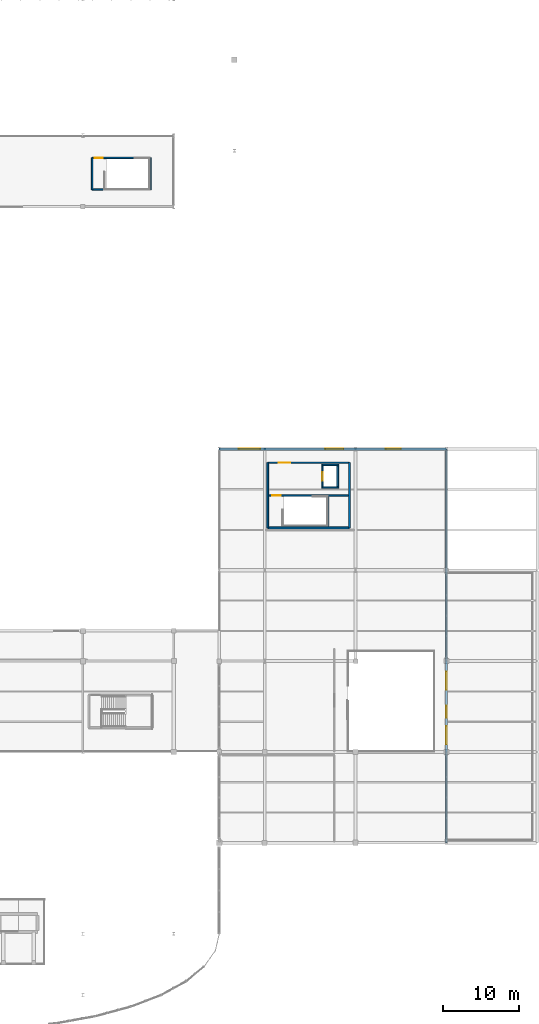
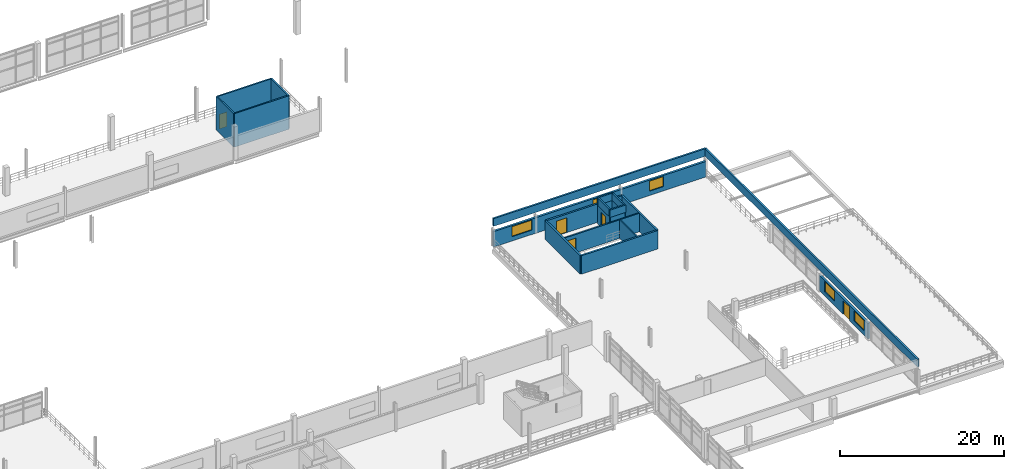
# One storey, part 72 of 89: 22 walls, 5 doors, 5 windows, 10 openings.
"""IFC4 building model written with IfcOpenShell, lengths in metres."""

from ifc_helpers import new_model, si_unit, direction, frame, frame_2d, origin, place, context, subcontext, project, spatial, rectangle, extrude, material, layer, layer_set, type_object, element, fill, save


model = new_model("IFC4")

# Units and contexts
model_context = context("Model", 3, precision=1e-05, world=origin(), true_north=direction((0.0, 1.0)))
body_context = subcontext(model_context, "Body", "Model", "MODEL_VIEW")
ifc_project = project(units=[si_unit("LENGTHUNIT", "METRE"), si_unit("AREAUNIT", "SQUARE_METRE"), si_unit("VOLUMEUNIT", "CUBIC_METRE"), si_unit("PLANEANGLEUNIT", "RADIAN"), si_unit("MASSUNIT", "GRAM", prefix="KILO"), si_unit("THERMODYNAMICTEMPERATUREUNIT", "KELVIN"), si_unit("POWERUNIT", "WATT")], contexts=[model_context])

# Site, building, storey
site_placement = place(None, origin())
site = spatial("IfcSite", under=ifc_project, at=site_placement, CompositionType="ELEMENT")
building_placement = place(site_placement, origin())
building = spatial("IfcBuilding", under=site, at=building_placement, Name="Solmara Park Aquatics Centre", CompositionType="ELEMENT")
storey_placement = place(building_placement, frame((0.0, 0.0, 5.39990234375)))
storey = spatial("IfcBuildingStorey", under=building, at=storey_placement, Name="L01", CompositionType="ELEMENT", Elevation=5.39990234375)

# Wall
ifc_material_1 = material(Name="Concrete C40/50", Category="concrete")
ifc_layer_1 = layer(ifc_material_1, 0.25, Name="Concrete C40/50")
ifc_layer_set_1 = layer_set([ifc_layer_1], Name="Concrete C40/50")
wall_type_1 = type_object("IfcWallType", Name="ARC-WL-CORE250", PredefinedType="SHEAR", material=ifc_layer_set_1)
wall_1_placement = place(storey_placement, frame((168.39990234375, 66.199951171875, 0.0), z_axis=(0.0, 0.0, 1.0), x_axis=(1.0, 0.0, 0.0)))
element("IfcWall", 1, at=wall_1_placement, inside=storey, type_object=wall_type_1, Name="CORE-5 Core Wall S L01", PredefinedType="SHEAR", context=body_context, shape_type="SweptSolid", body=[
    extrude(rectangle(XDim=10.800048828125, YDim=0.25, at=frame_2d((5.39990234375, 0.0))), origin(), (0.0, 0.0, 1.0), 2.760009765625),
])

# Wall, opening, door
wall_2_placement = place(storey_placement, frame((168.39990234375, 74.800048828125, 0.0), z_axis=(0.0, 0.0, 1.0), x_axis=(1.0, 0.0, 0.0)))
wall_2 = element("IfcWall", 2, at=wall_2_placement, inside=storey, type_object=wall_type_1, Name="CORE-5 Core Wall N L01", PredefinedType="SHEAR", context=body_context, shape_type="SweptSolid", body=[
    extrude(rectangle(XDim=10.800048828125, YDim=0.25, at=frame_2d((5.39990234375, 0.0))), origin(), (0.0, 0.0, 1.0), 2.760009765625),
])
opening_1_placement = place(wall_2_placement, frame((1.449951171875, 0.0, 0.0)))
opening_1 = element("IfcOpeningElement", 3, at=opening_1_placement, cuts=wall_2, Name="Opening D-12", PredefinedType="OPENING", context=body_context, shape_type="SweptSolid", body=[
    extrude(rectangle(XDim=1.5, YDim=2.199951171875, at=frame_2d((0.75, 1.10009765625))), frame((0.0, 0.135009765625, 0.0), z_axis=(0.0, -1.0, 0.0), x_axis=(1.0, 0.0, 0.0)), (0.0, 0.0, 1.0), 0.27001953125),
])
ifc_material_2 = material(Name="Moisture-Resistant HPL & Hardwood", Category="wood")
door_type_1 = type_object("IfcDoorType", Name="ARC-DR-FD150x220", OperationType="DOUBLE_DOOR_SINGLE_SWING", PredefinedType="DOOR", material=ifc_material_2)
door_1_placement = place(opening_1_placement, origin())
door_1 = element("IfcDoor", 4, at=door_1_placement, inside=storey, type_object=door_type_1, Name="CORE-5 Lobby Entry Fire Door L01", OperationType="DOUBLE_DOOR_SINGLE_SWING", OverallHeight=2.199951171875, OverallWidth=1.5, PredefinedType="DOOR", context=body_context, shape_type="SweptSolid", body=[
    extrude(rectangle(XDim=1.5, YDim=2.199951171875, at=frame_2d((0.75, 1.10009765625))), frame((0.0, 0.02490234375, 0.0), z_axis=(0.0, -1.0, 0.0), x_axis=(1.0, 0.0, 0.0)), (0.0, 0.0, 1.0), 0.050048828125),
])
fill(opening_1, door_1)

# Walls
for number, where, z_axis, x_axis, name in (
    (5, (168.39990234375, 66.199951171875, 0.0), (0.0, 0.0, 1.0), (0.0, 1.0, 0.0), "CORE-5 Core Wall W L01"),
    (6, (179.199951171875, 66.199951171875, 0.0), (0.0, 0.0, 1.0), (0.0, 1.0, 0.0), "CORE-5 Core Wall E L01"),
):
    element("IfcWall", number, at=place(storey_placement, frame(where, z_axis=z_axis, x_axis=x_axis)), inside=storey, type_object=wall_type_1, Name=name, PredefinedType="SHEAR", context=body_context, shape_type="SweptSolid", body=[
        extrude(rectangle(XDim=8.60009765625, YDim=0.25, at=frame_2d((4.300048828125, 0.0))), origin(), (0.0, 0.0, 1.0), 2.760009765625),
    ])

# Wall, openings, door, windows
ifc_material_3 = material(Name="Insulated Limestone Render Wall", Category="masonry")
ifc_layer_2 = layer(ifc_material_3, 0.300048828125, Name="Insulated Limestone Render Wall")
ifc_layer_set_2 = layer_set([ifc_layer_2], Name="Insulated Limestone Render Wall")
wall_type_2 = type_object("IfcWallType", Name="ARC-WL-EXT300", PredefinedType="SOLIDWALL", material=ifc_layer_set_2)
wall_3_placement = place(storey_placement, frame((192.0, 36.60009765625, 0.0), z_axis=(0.0, 0.0, 1.0), x_axis=(0.0, 1.0, 0.0)))
wall_3 = element("IfcWall", 7, at=wall_3_placement, inside=storey, type_object=wall_type_2, Name="Exterior Facade Wall EW-L01-007", PredefinedType="SOLIDWALL", context=body_context, shape_type="SweptSolid", body=[
    extrude(rectangle(XDim=12.0, YDim=0.300048828125, at=frame_2d((6.0, 0.0))), origin(), (0.0, 0.0, 1.0), 2.31005859375),
])
opening_2_placement = place(wall_3_placement, frame((4.5, 0.0, 0.0)))
opening_2 = element("IfcOpeningElement", 8, at=opening_2_placement, cuts=wall_3, Name="Opening D-31", PredefinedType="OPENING", context=body_context, shape_type="SweptSolid", body=[
    extrude(rectangle(XDim=1.60009765625, YDim=2.050048828125, at=frame_2d((0.800048828125, 1.02490234375))), frame((0.0, 0.159912109375, 0.0), z_axis=(0.0, -1.0, 0.0), x_axis=(1.0, 0.0, 0.0)), (0.0, 0.0, 1.0), 0.320068359375),
])
opening_3_placement = place(wall_3_placement, frame((1.0, 0.0, 0.64990234375)))
opening_3 = element("IfcOpeningElement", 9, at=opening_3_placement, cuts=wall_3, Name="Opening W-16", PredefinedType="OPENING", context=body_context, shape_type="SweptSolid", body=[
    extrude(rectangle(XDim=2.39990234375, YDim=1.5, at=frame_2d((1.199951171875, 0.75))), frame((0.0, 0.159912109375, 0.0), z_axis=(0.0, -1.0, 0.0), x_axis=(1.0, 0.0, 0.0)), (0.0, 0.0, 1.0), 0.320068359375),
])
opening_4_placement = place(wall_3_placement, frame((8.199951171875, 0.0, 0.64990234375)))
opening_4 = element("IfcOpeningElement", 10, at=opening_4_placement, cuts=wall_3, Name="Opening W-16", PredefinedType="OPENING", context=body_context, shape_type="SweptSolid", body=[
    extrude(rectangle(XDim=2.39990234375, YDim=1.5, at=frame_2d((1.199951171875, 0.75))), frame((0.0, 0.159912109375, 0.0), z_axis=(0.0, -1.0, 0.0), x_axis=(1.0, 0.0, 0.0)), (0.0, 0.0, 1.0), 0.320068359375),
])
ifc_material_4 = material(Name="Thermally Broken Powder-Coated Aluminium and Laminated Glass", Category="aluminium")
door_type_2 = type_object("IfcDoorType", Name="ARC-DR-TER160x205", OperationType="DOUBLE_DOOR_SINGLE_SWING", PredefinedType="DOOR", material=ifc_material_4)
door_2_placement = place(opening_2_placement, frame((1.60009765625, 0.0, 0.0), z_axis=(0.0, 0.0, 1.0), x_axis=(-1.0, 0.0, 0.0)))
door_2 = element("IfcDoor", 11, at=door_2_placement, inside=storey, type_object=door_type_2, Name="L01 Park Cafe Terrace Door (EX-08)", OperationType="DOUBLE_DOOR_SINGLE_SWING", OverallHeight=2.050048828125, OverallWidth=1.60009765625, PredefinedType="DOOR", context=body_context, shape_type="SweptSolid", body=[
    extrude(rectangle(XDim=1.60009765625, YDim=2.050048828125, at=frame_2d((0.800048828125, 1.02490234375))), frame((0.0, 0.02490234375, 0.0), z_axis=(0.0, -1.0, 0.0), x_axis=(1.0, 0.0, 0.0)), (0.0, 0.0, 1.0), 0.050048828125),
])
fill(opening_2, door_2)
ifc_material_5 = material(Name="Thermally Broken Aluminium and Low-E Double Glazing", Category="aluminium")
window_type_1 = type_object("IfcWindowType", Name="ARC-WN-240x150", PartitioningType="DOUBLE_PANEL_VERTICAL", PredefinedType="WINDOW", material=ifc_material_5)
window_1_placement = place(opening_3_placement, frame((2.39990234375, 0.0, 0.0), z_axis=(0.0, 0.0, 1.0), x_axis=(-1.0, 0.0, 0.0)))
window_1 = element("IfcWindow", 12, at=window_1_placement, inside=storey, type_object=window_type_1, Name="Ribbon Window WN-015", OverallHeight=1.5, OverallWidth=2.39990234375, PartitioningType="DOUBLE_PANEL_VERTICAL", PredefinedType="WINDOW", context=body_context, shape_type="SweptSolid", body=[
    extrude(rectangle(XDim=2.39990234375, YDim=1.5, at=frame_2d((1.199951171875, 0.75))), frame((0.0, 0.030029296875, 0.0), z_axis=(0.0, -1.0, 0.0), x_axis=(1.0, 0.0, 0.0)), (0.0, 0.0, 1.0), 0.06005859375),
])
fill(opening_3, window_1)
window_2_placement = place(opening_4_placement, frame((2.39990234375, 0.0, 0.0), z_axis=(0.0, 0.0, 1.0), x_axis=(-1.0, 0.0, 0.0)))
window_2 = element("IfcWindow", 13, at=window_2_placement, inside=storey, type_object=window_type_1, Name="Ribbon Window WN-016", OverallHeight=1.5, OverallWidth=2.39990234375, PartitioningType="DOUBLE_PANEL_VERTICAL", PredefinedType="WINDOW", context=body_context, shape_type="SweptSolid", body=[
    extrude(rectangle(XDim=2.39990234375, YDim=1.5, at=frame_2d((1.199951171875, 0.75))), frame((0.0, 0.030029296875, 0.0), z_axis=(0.0, -1.0, 0.0), x_axis=(1.0, 0.0, 0.0)), (0.0, 0.0, 1.0), 0.06005859375),
])
fill(opening_4, window_2)

# Wall, openings, windows
wall_4_placement = place(storey_placement, frame((162.0, 76.60009765625, 0.0), z_axis=(0.0, 0.0, 1.0), x_axis=(1.0, 0.0, 0.0)))
wall_4 = element("IfcWall", 14, at=wall_4_placement, inside=storey, type_object=wall_type_2, Name="Exterior Facade Wall EW-L01-010", PredefinedType="SOLIDWALL", context=body_context, shape_type="SweptSolid", body=[
    extrude(rectangle(XDim=30.0, YDim=0.300048828125, at=frame_2d((15.0, 0.0))), origin(), (0.0, 0.0, 1.0), 2.31005859375),
])
opening_5_placement = place(wall_4_placement, frame((2.60009765625, 0.0, 0.64990234375)))
opening_5 = element("IfcOpeningElement", 15, at=opening_5_placement, cuts=wall_4, Name="Opening W-15", PredefinedType="OPENING", context=body_context, shape_type="SweptSolid", body=[
    extrude(rectangle(XDim=2.800048828125, YDim=1.5, at=frame_2d((1.39990234375, 0.75))), frame((0.0, 0.159912109375, 0.0), z_axis=(0.0, -1.0, 0.0), x_axis=(1.0, 0.0, 0.0)), (0.0, 0.0, 1.0), 0.320068359375),
])
opening_6_placement = place(wall_4_placement, frame((14.0, 0.0, 0.64990234375)))
opening_6 = element("IfcOpeningElement", 16, at=opening_6_placement, cuts=wall_4, Name="Opening W-16", PredefinedType="OPENING", context=body_context, shape_type="SweptSolid", body=[
    extrude(rectangle(XDim=2.39990234375, YDim=1.5, at=frame_2d((1.199951171875, 0.75))), frame((0.0, 0.159912109375, 0.0), z_axis=(0.0, -1.0, 0.0), x_axis=(1.0, 0.0, 0.0)), (0.0, 0.0, 1.0), 0.320068359375),
])
opening_7_placement = place(wall_4_placement, frame((22.0, 0.0, 0.64990234375)))
opening_7 = element("IfcOpeningElement", 17, at=opening_7_placement, cuts=wall_4, Name="Opening W-17", PredefinedType="OPENING", context=body_context, shape_type="SweptSolid", body=[
    extrude(rectangle(XDim=2.0, YDim=1.5, at=frame_2d((1.0, 0.75))), frame((0.0, 0.159912109375, 0.0), z_axis=(0.0, -1.0, 0.0), x_axis=(1.0, 0.0, 0.0)), (0.0, 0.0, 1.0), 0.320068359375),
])
window_type_2 = type_object("IfcWindowType", Name="ARC-WN-200x150", PartitioningType="DOUBLE_PANEL_VERTICAL", PredefinedType="WINDOW", material=ifc_material_5)
window_3_placement = place(opening_7_placement, origin())
window_3 = element("IfcWindow", 18, at=window_3_placement, inside=storey, type_object=window_type_2, Name="Ribbon Window WN-024", OverallHeight=1.5, OverallWidth=2.0, PartitioningType="DOUBLE_PANEL_VERTICAL", PredefinedType="WINDOW", context=body_context, shape_type="SweptSolid", body=[
    extrude(rectangle(XDim=2.0, YDim=1.5, at=frame_2d((1.0, 0.75))), frame((0.0, 0.030029296875, 0.0), z_axis=(0.0, -1.0, 0.0), x_axis=(1.0, 0.0, 0.0)), (0.0, 0.0, 1.0), 0.06005859375),
])
fill(opening_7, window_3)
window_4_placement = place(opening_6_placement, origin())
window_4 = element("IfcWindow", 19, at=window_4_placement, inside=storey, type_object=window_type_1, Name="Ribbon Window WN-023", OverallHeight=1.5, OverallWidth=2.39990234375, PartitioningType="DOUBLE_PANEL_VERTICAL", PredefinedType="WINDOW", context=body_context, shape_type="SweptSolid", body=[
    extrude(rectangle(XDim=2.39990234375, YDim=1.5, at=frame_2d((1.199951171875, 0.75))), frame((0.0, 0.030029296875, 0.0), z_axis=(0.0, -1.0, 0.0), x_axis=(1.0, 0.0, 0.0)), (0.0, 0.0, 1.0), 0.06005859375),
])
fill(opening_6, window_4)
window_type_3 = type_object("IfcWindowType", Name="ARC-WN-280x150", PartitioningType="DOUBLE_PANEL_HORIZONTAL", PredefinedType="WINDOW", material=ifc_material_5)
window_5_placement = place(opening_5_placement, origin())
window_5 = element("IfcWindow", 20, at=window_5_placement, inside=storey, type_object=window_type_3, Name="Ribbon Window WN-022", OverallHeight=1.5, OverallWidth=2.800048828125, PartitioningType="DOUBLE_PANEL_HORIZONTAL", PredefinedType="WINDOW", context=body_context, shape_type="SweptSolid", body=[
    extrude(rectangle(XDim=2.800048828125, YDim=1.5, at=frame_2d((1.39990234375, 0.75))), frame((0.0, 0.030029296875, 0.0), z_axis=(0.0, -1.0, 0.0), x_axis=(1.0, 0.0, 0.0)), (0.0, 0.0, 1.0), 0.06005859375),
])
fill(opening_5, window_5)

# Walls
ifc_material_6 = material(Name="Precast Concrete C40/50", Category="concrete")
ifc_layer_3 = layer(ifc_material_6, 0.25, Name="Precast Concrete C40/50")
ifc_layer_set_3 = layer_set([ifc_layer_3], Name="Precast Concrete C40/50")
wall_type_3 = type_object("IfcWallType", Name="ARC-WL-PAR250", PredefinedType="PARAPET", material=ifc_layer_set_3)
wall_5_placement = place(storey_placement, frame((162.0, 76.60009765625, 3.080078125), z_axis=(0.0, 0.0, 1.0), x_axis=(1.0, 0.0, 0.0)))
element("IfcWall", 21, at=wall_5_placement, inside=storey, type_object=wall_type_3, Name="Roof Maintenance Parapet 02", PredefinedType="PARAPET", context=body_context, shape_type="SweptSolid", body=[
    extrude(rectangle(XDim=30.0, YDim=0.25, at=frame_2d((15.0, 0.0))), origin(), (0.0, 0.0, 1.0), 1.14990234375),
])
wall_6_placement = place(storey_placement, frame((192.0, 24.60009765625, 3.080078125), z_axis=(0.0, 0.0, 1.0), x_axis=(0.0, 1.0, 0.0)))
element("IfcWall", 22, at=wall_6_placement, inside=storey, type_object=wall_type_3, Name="Roof Maintenance Parapet 03", PredefinedType="PARAPET", context=body_context, shape_type="SweptSolid", body=[
    extrude(rectangle(XDim=52.0, YDim=0.25, at=frame_2d((26.0, 0.0))), origin(), (0.0, 0.0, 1.0), 1.14990234375),
])

# Wall, opening, door
ifc_material_7 = material(Name="Concrete C35/45", Category="concrete")
ifc_layer_4 = layer(ifc_material_7, 0.199951171875, Name="Concrete C35/45")
ifc_layer_set_4 = layer_set([ifc_layer_4], Name="Concrete C35/45")
wall_type_4 = type_object("IfcWallType", Name="STR-WL-STAIR200", PredefinedType="SHEAR", material=ifc_layer_set_4)
wall_7_placement = place(storey_placement, frame((168.52001953125, 70.47509765625, 0.0), z_axis=(0.0, 0.0, 1.0), x_axis=(1.0, 0.0, 0.0)))
wall_7 = element("IfcWall", 23, at=wall_7_placement, inside=storey, type_object=wall_type_4, Name="CORE-5 Stairwell Compartment Wall L01", PredefinedType="SHEAR", context=body_context, shape_type="SweptSolid", body=[
    extrude(rectangle(XDim=10.56005859375, YDim=0.199951171875, at=frame_2d((5.280029296875, 0.0))), origin(), (0.0, 0.0, 1.0), 2.760009765625),
])
opening_8_placement = place(wall_7_placement, frame((0.47998046875, 0.0, 0.0)))
opening_8 = element("IfcOpeningElement", 24, at=opening_8_placement, cuts=wall_7, Name="Opening D-11", PredefinedType="OPENING", context=body_context, shape_type="SweptSolid", body=[
    extrude(rectangle(XDim=1.10009765625, YDim=2.199951171875, at=frame_2d((0.550048828125, 1.10009765625))), frame((0.0, 0.10986328125, 0.0), z_axis=(0.0, -1.0, 0.0), x_axis=(1.0, 0.0, 0.0)), (0.0, 0.0, 1.0), 0.219970703125),
])
door_type_3 = type_object("IfcDoorType", Name="ARC-DR-FD110x220", OperationType="NOTDEFINED", PredefinedType="DOOR", material=ifc_material_2)
door_3_placement = place(opening_8_placement, origin())
door_3 = element("IfcDoor", 25, at=door_3_placement, inside=storey, type_object=door_type_3, Name="ST-05 Fire Door L01", OperationType="SINGLE_SWING_RIGHT", OverallHeight=2.199951171875, OverallWidth=1.10009765625, PredefinedType="DOOR", context=body_context, shape_type="SweptSolid", body=[
    extrude(rectangle(XDim=1.10009765625, YDim=2.199951171875, at=frame_2d((0.550048828125, 1.10009765625))), frame((0.0, 0.02490234375, 0.0), z_axis=(0.0, -1.0, 0.0), x_axis=(1.0, 0.0, 0.0)), (0.0, 0.0, 1.0), 0.050048828125),
])
fill(opening_8, door_3)

# Wall
wall_8_placement = place(storey_placement, frame((176.360107421875, 66.320068359375, 0.0), z_axis=(0.0, 0.0, 1.0), x_axis=(0.0, 1.0, 0.0)))
element("IfcWall", 26, at=wall_8_placement, inside=storey, type_object=wall_type_4, Name="CORE-5 Stairwell East End Wall L01", PredefinedType="SHEAR", context=body_context, shape_type="SweptSolid", body=[
    extrude(rectangle(XDim=4.054931640625, YDim=0.199951171875, at=frame_2d((2.02734375, 0.0))), origin(), (0.0, 0.0, 1.0), 2.760009765625),
])

# Wall, opening, door
wall_9_placement = place(storey_placement, frame((175.6201171875, 71.5, 0.0), z_axis=(0.0, 0.0, 1.0), x_axis=(0.0, 1.0, 0.0)))
wall_9 = element("IfcWall", 27, at=wall_9_placement, inside=storey, type_object=wall_type_4, Name="CORE-5 Lift Shaft Front Wall L01", PredefinedType="SHEAR", context=body_context, shape_type="SweptSolid", body=[
    extrude(rectangle(XDim=3.0, YDim=0.199951171875, at=frame_2d((1.5, 0.0))), origin(), (0.0, 0.0, 1.0), 2.760009765625),
])
opening_9_placement = place(wall_9_placement, frame((0.949951171875, 0.0, 0.0)))
opening_9 = element("IfcOpeningElement", 28, at=opening_9_placement, cuts=wall_9, Name="Opening D-09", PredefinedType="OPENING", context=body_context, shape_type="SweptSolid", body=[
    extrude(rectangle(XDim=1.10009765625, YDim=2.199951171875, at=frame_2d((0.550048828125, 1.10009765625))), frame((0.0, 0.10986328125, 0.0), z_axis=(0.0, -1.0, 0.0), x_axis=(1.0, 0.0, 0.0)), (0.0, 0.0, 1.0), 0.219970703125),
])
ifc_material_8 = material(Name="Stainless Steel", Category="steel")
door_type_4 = type_object("IfcDoorType", Name="ARC-DR-LD110x220", OperationType="DOUBLE_DOOR_SLIDING", PredefinedType="DOOR", material=ifc_material_8)
door_4_placement = place(opening_9_placement, origin())
door_4 = element("IfcDoor", 29, at=door_4_placement, inside=storey, type_object=door_type_4, Name="LF-07 Lift Landing Door L01", OperationType="DOUBLE_DOOR_SLIDING", OverallHeight=2.199951171875, OverallWidth=1.10009765625, PredefinedType="DOOR", context=body_context, shape_type="SweptSolid", body=[
    extrude(rectangle(XDim=1.10009765625, YDim=2.199951171875, at=frame_2d((0.550048828125, 1.10009765625))), frame((0.0, 0.02490234375, 0.0), z_axis=(0.0, -1.0, 0.0), x_axis=(1.0, 0.0, 0.0)), (0.0, 0.0, 1.0), 0.050048828125),
])
fill(opening_9, door_4)

# Walls
wall_10_placement = place(storey_placement, frame((177.64990234375, 71.5, 0.0), z_axis=(0.0, 0.0, 1.0), x_axis=(0.0, 1.0, 0.0)))
element("IfcWall", 30, at=wall_10_placement, inside=storey, type_object=wall_type_4, Name="LF-07 Lift Shaft East Wall L01", PredefinedType="SHEAR", context=body_context, shape_type="SweptSolid", body=[
    extrude(rectangle(XDim=3.0, YDim=0.199951171875, at=frame_2d((1.5, 0.0))), origin(), (0.0, 0.0, 1.0), 2.760009765625),
])
for number, where, z_axis, x_axis, name in (
    (31, (175.6201171875, 71.5, 0.0), (0.0, 0.0, 1.0), (1.0, 0.0, 0.0), "LF-07 Lift Shaft South Wall L01"),
    (32, (175.6201171875, 74.5, 0.0), (0.0, 0.0, 1.0), (1.0, 0.0, 0.0), "LF-07 Lift Shaft North Wall L01"),
):
    element("IfcWall", number, at=place(storey_placement, frame(where, z_axis=z_axis, x_axis=x_axis)), inside=storey, type_object=wall_type_4, Name=name, PredefinedType="SHEAR", context=body_context, shape_type="SweptSolid", body=[
        extrude(rectangle(XDim=2.02978515625, YDim=0.199951171875, at=frame_2d((1.014892578125, 0.0))), origin(), (0.0, 0.0, 1.0), 2.760009765625),
    ])
for number, where, z_axis, x_axis, name in (
    (33, (175.52001953125, 71.5, 2.760009765625), (0.0, 0.0, 1.0), (1.0, 0.0, 0.0), "LF-07 Lift Overrun Hood Wall S"),
    (34, (175.52001953125, 74.5, 2.760009765625), (0.0, 0.0, 1.0), (1.0, 0.0, 0.0), "LF-07 Lift Overrun Hood Wall N"),
):
    element("IfcWall", number, at=place(storey_placement, frame(where, z_axis=z_axis, x_axis=x_axis)), inside=storey, type_object=wall_type_4, Name=name, PredefinedType="SHEAR", context=body_context, shape_type="SweptSolid", body=[
        extrude(rectangle(XDim=2.22998046875, YDim=0.199951171875, at=frame_2d((1.114990234375, 0.0))), origin(), (0.0, 0.0, 1.0), 1.10009765625),
    ])
for number, where, z_axis, x_axis, name in (
    (35, (175.6201171875, 71.610107421875, 2.760009765625), (0.0, 0.0, 1.0), (0.0, 1.0, 0.0), "LF-07 Lift Overrun Hood Wall W"),
    (36, (177.64990234375, 71.610107421875, 2.760009765625), (0.0, 0.0, 1.0), (0.0, 1.0, 0.0), "LF-07 Lift Overrun Hood Wall E"),
):
    element("IfcWall", number, at=place(storey_placement, frame(where, z_axis=z_axis, x_axis=x_axis)), inside=storey, type_object=wall_type_4, Name=name, PredefinedType="SHEAR", context=body_context, shape_type="SweptSolid", body=[
        extrude(rectangle(XDim=2.77978515625, YDim=0.199951171875, at=frame_2d((1.389892578125, 0.0))), origin(), (0.0, 0.0, 1.0), 1.10009765625),
    ])
wall_11_placement = place(storey_placement, frame((145.199951171875, 110.85009765625, 0.0), z_axis=(0.0, 0.0, 1.0), x_axis=(1.0, 0.0, 0.0)))
element("IfcWall", 37, at=wall_11_placement, inside=storey, type_object=wall_type_4, Name="ST07 Escape Stair Wall S L01", PredefinedType="SHEAR", context=body_context, shape_type="SweptSolid", body=[
    extrude(rectangle(XDim=7.699951171875, YDim=0.199951171875, at=frame_2d((3.85009765625, 0.0))), origin(), (0.0, 0.0, 1.0), 5.0),
])

# Wall, opening, door
wall_12_placement = place(storey_placement, frame((145.199951171875, 115.050048828125, 0.0), z_axis=(0.0, 0.0, 1.0), x_axis=(1.0, 0.0, 0.0)))
wall_12 = element("IfcWall", 38, at=wall_12_placement, inside=storey, type_object=wall_type_4, Name="ST07 Escape Stair Wall N L01", PredefinedType="SHEAR", context=body_context, shape_type="SweptSolid", body=[
    extrude(rectangle(XDim=7.699951171875, YDim=0.199951171875, at=frame_2d((3.85009765625, 0.0))), origin(), (0.0, 0.0, 1.0), 5.0),
])
opening_10_placement = place(wall_12_placement, frame((0.35009765625, 0.0, 0.0)))
opening_10 = element("IfcOpeningElement", 39, at=opening_10_placement, cuts=wall_12, Name="Opening D-11", PredefinedType="OPENING", context=body_context, shape_type="SweptSolid", body=[
    extrude(rectangle(XDim=1.10009765625, YDim=2.199951171875, at=frame_2d((0.550048828125, 1.10009765625))), frame((0.0, 0.10986328125, 0.0), z_axis=(0.0, -1.0, 0.0), x_axis=(1.0, 0.0, 0.0)), (0.0, 0.0, 1.0), 0.219970703125),
])
door_5_placement = place(opening_10_placement, frame((1.10009765625, 0.0, 0.0), z_axis=(0.0, 0.0, 1.0), x_axis=(-1.0, 0.0, 0.0)))
door_5 = element("IfcDoor", 40, at=door_5_placement, inside=storey, type_object=door_type_3, Name="ST07 Escape Stair Entry Door L01", OperationType="SINGLE_SWING_LEFT", OverallHeight=2.199951171875, OverallWidth=1.10009765625, PredefinedType="DOOR", context=body_context, shape_type="SweptSolid", body=[
    extrude(rectangle(XDim=1.10009765625, YDim=2.199951171875, at=frame_2d((0.550048828125, 1.10009765625))), frame((0.0, 0.02490234375, 0.0), z_axis=(0.0, -1.0, 0.0), x_axis=(1.0, 0.0, 0.0)), (0.0, 0.0, 1.0), 0.050048828125),
])
fill(opening_10, door_5)

# Walls
for number, where, z_axis, x_axis, name in (
    (41, (145.199951171875, 110.85009765625, 0.0), (0.0, 0.0, 1.0), (0.0, 1.0, 0.0), "ST07 Escape Stair Wall W L01"),
    (42, (152.89990234375, 110.85009765625, 0.0), (0.0, 0.0, 1.0), (0.0, 1.0, 0.0), "ST07 Escape Stair Wall E L01"),
):
    element("IfcWall", number, at=place(storey_placement, frame(where, z_axis=z_axis, x_axis=x_axis)), inside=storey, type_object=wall_type_4, Name=name, PredefinedType="SHEAR", context=body_context, shape_type="SweptSolid", body=[
        extrude(rectangle(XDim=4.199951171875, YDim=0.199951171875, at=frame_2d((2.10009765625, 0.0))), origin(), (0.0, 0.0, 1.0), 5.0),
    ])

save(model, "model.ifc")
